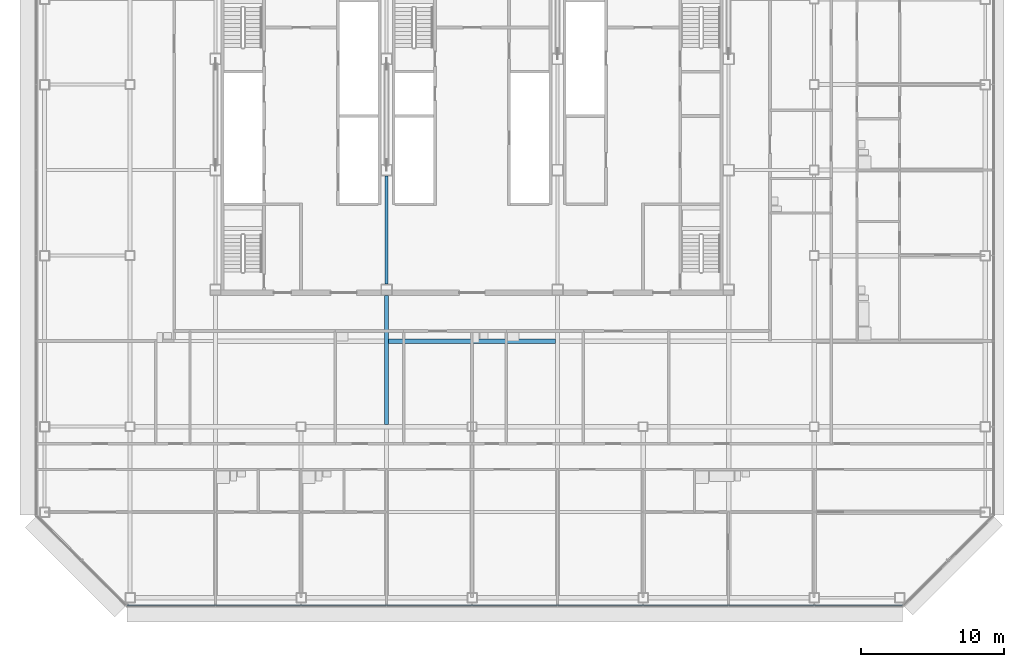
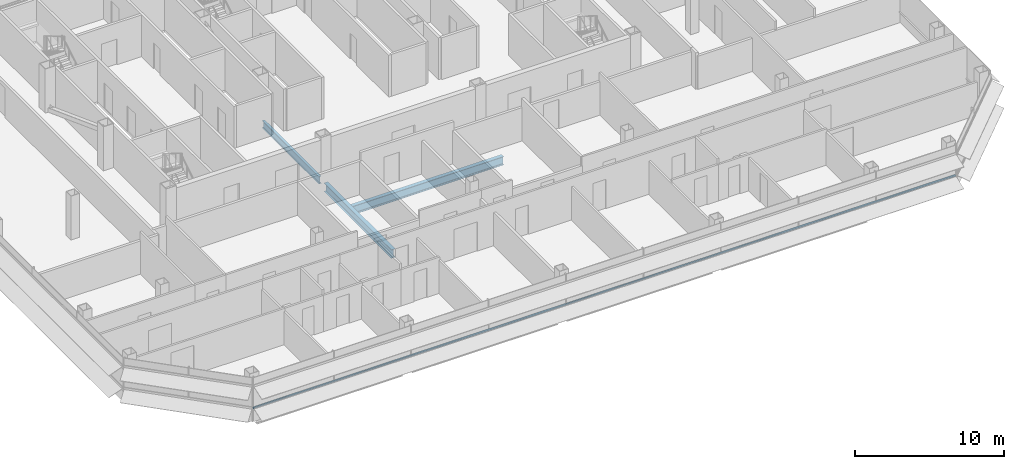
# One storey, part 7 of 26: 3 beams, 1 member, 1 element without a shape of its own.
"""IFC4 building model written with IfcOpenShell, lengths in metres."""

from ifc_helpers import new_model, si_unit, direction, frame, origin, origin_2d, place, context, subcontext, project, spatial, rectangle, i_section, extrude, material, material_profile, profile_set, type_object, element, aggregate, save


model = new_model("IFC4")

# Units and contexts
model_context = context("Model", 3, precision=1e-05, world=origin(), true_north=direction((0.0, 1.0)))
body_context = subcontext(model_context, "Body", "Model", "MODEL_VIEW")
ifc_project = project(units=[si_unit("LENGTHUNIT", "METRE"), si_unit("AREAUNIT", "SQUARE_METRE"), si_unit("VOLUMEUNIT", "CUBIC_METRE"), si_unit("PLANEANGLEUNIT", "RADIAN"), si_unit("MASSUNIT", "GRAM", prefix="KILO")], contexts=[model_context])

# Site, building, storey
site_placement = place(None, origin())
site = spatial("IfcSite", under=ifc_project, at=site_placement, CompositionType="ELEMENT")
building_placement = place(site_placement, origin())
building = spatial("IfcBuilding", under=site, at=building_placement, Name="Sorahane Residences", CompositionType="ELEMENT")
storey_placement = place(building_placement, frame((0.0, 0.0, 154.60009765625)))
storey = spatial("IfcBuildingStorey", under=building, at=storey_placement, Name="L35", CompositionType="ELEMENT", Elevation=154.60009765625)

# Curtain wall, member
ifc_material_1 = material(Name="Dark low-e glass and black anodised aluminium", Category="aluminium")
curtain_wall_type = type_object("IfcCurtainWallType", Name="Curtain wall CW-1 Typical unitised wall", PredefinedType="NOTDEFINED", material=ifc_material_1)
curtain_wall_placement = place(storey_placement, origin())
curtain_wall = element("IfcCurtainWall", 1, at=curtain_wall_placement, inside=storey, type_object=curtain_wall_type, Name="CW-1 curtain wall L35 S1", PredefinedType="NOTDEFINED")
ifc_material_2 = material(Name="Black anodised aluminium", Category="aluminium")
ifc_material_profile_1 = material_profile(ifc_material_2, rectangle(XDim=0.10009765625, YDim=0.06005859375, at=origin_2d()), Name="Curtain wall transom CW-1 black anodised aluminium 60x100")
ifc_profile_set_1 = profile_set([ifc_material_profile_1], Name="Black anodised aluminium")
member_type = type_object("IfcMemberType", Name="Curtain wall transom CW-1 black anodised aluminium 60x100", PredefinedType="USERDEFINED", material=ifc_profile_set_1)
member_placement = place(storey_placement, frame((-0.198486328125, -0.530029296875, 0.89990234375), z_axis=(1.0, 0.0, 0.0), x_axis=(0.0, 1.0, 0.0)))
member = element("IfcMember", 2, at=member_placement, type_object=member_type, Name="CW-1 transom L35 S1", ObjectType="TRANSOM", PredefinedType="USERDEFINED", context=body_context, shape_type="SweptSolid", body=[
    extrude(rectangle(XDim=0.10009765625, YDim=0.06005859375, at=origin_2d()), origin(), (0.0, 0.0, 1.0), 54.39697265625),
])
aggregate(curtain_wall, [member])

# Beams
ifc_material_3 = material(Name="Steel Q355B", Category="steel")
ifc_material_profile_2 = material_profile(ifc_material_3, i_section(OverallWidth=0.199951171875, OverallDepth=0.60009765625, WebThickness=0.010986328125, FlangeThickness=0.01708984375, FilletRadius=0.02392578125, at=origin_2d()), Name="HN 600x200x11x17")
ifc_profile_set_2 = profile_set([ifc_material_profile_2], Name="Steel Q355B")
beam_type_1 = type_object("IfcBeamType", Name="Steel floor beam HN 600x200x11x17 Q355B", PredefinedType="BEAM", material=ifc_profile_set_2)
beam_1_placement = place(storey_placement, frame((18.0, 22.0, -0.47998046875), z_axis=(0.0, 1.0, 0.0), x_axis=(-1.0, 0.0, 0.0)))
element("IfcBeam", 3, at=beam_1_placement, inside=storey, type_object=beam_type_1, Name="Beam L35 038", PredefinedType="BEAM", context=body_context, shape_type="SweptSolid", body=[
    extrude(i_section(OverallWidth=0.199951171875, OverallDepth=0.60009765625, WebThickness=0.010986328125, FlangeThickness=0.01708984375, FilletRadius=0.02392578125, at=origin_2d()), origin(), (0.0, 0.0, 1.0), 7.60009765625),
])
ifc_material_4 = material(Name="Steel Q355B", Category="steel")
ifc_material_profile_3 = material_profile(ifc_material_4, i_section(OverallWidth=0.300048828125, OverallDepth=0.699951171875, WebThickness=0.012939453125, FlangeThickness=0.02392578125, FilletRadius=0.028076171875, at=origin_2d()), Name="HN 700x300x13x24")
ifc_profile_set_3 = profile_set([ifc_material_profile_3], Name="Steel Q355B")
beam_type_2 = type_object("IfcBeamType", Name="Steel floor beam HN 700x300x13x24 Q355B", PredefinedType="BEAM", material=ifc_profile_set_3)
beam_2_placement = place(storey_placement, frame((18.0, 12.14990234375, -0.530029296875), z_axis=(0.0, 1.0, 0.0), x_axis=(-1.0, 0.0, 0.0)))
element("IfcBeam", 4, at=beam_2_placement, inside=storey, type_object=beam_type_2, Name="Beam L35 037", PredefinedType="BEAM", context=body_context, shape_type="SweptSolid", body=[
    extrude(i_section(OverallWidth=0.300048828125, OverallDepth=0.699951171875, WebThickness=0.012939453125, FlangeThickness=0.02392578125, FilletRadius=0.028076171875, at=origin_2d()), origin(), (0.0, 0.0, 1.0), 9.050048828125),
])
beam_3_placement = place(storey_placement, frame((18.14990234375, 18.0, -0.530029296875), z_axis=(1.0, 0.0, 0.0), x_axis=(0.0, 1.0, 0.0)))
element("IfcBeam", 5, at=beam_3_placement, inside=storey, type_object=beam_type_2, Name="Beam L35 081", PredefinedType="BEAM", context=body_context, shape_type="SweptSolid", body=[
    extrude(i_section(OverallWidth=0.300048828125, OverallDepth=0.699951171875, WebThickness=0.012939453125, FlangeThickness=0.02392578125, FilletRadius=0.028076171875, at=origin_2d()), origin(), (0.0, 0.0, 1.0), 11.7001953125),
])

save(model, "model.ifc")
